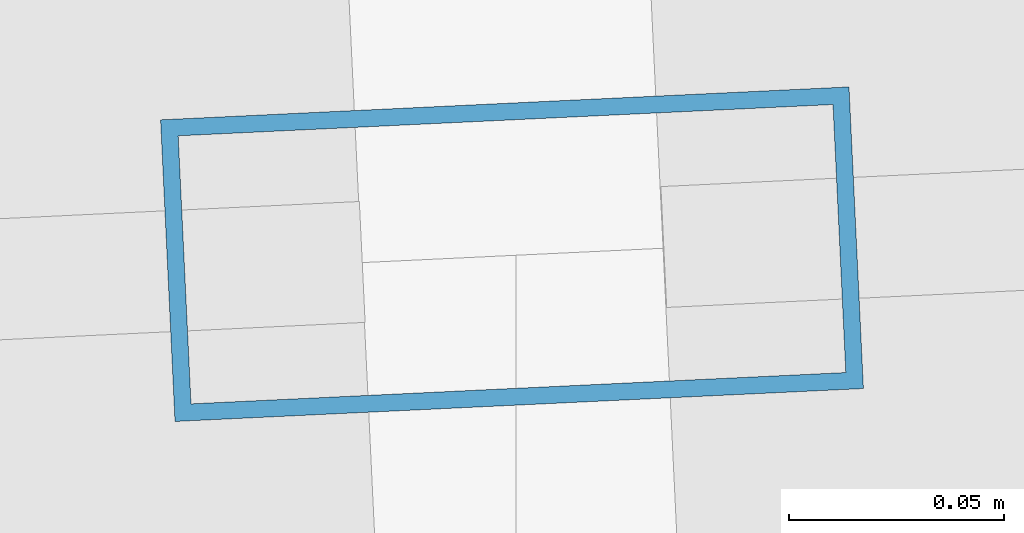
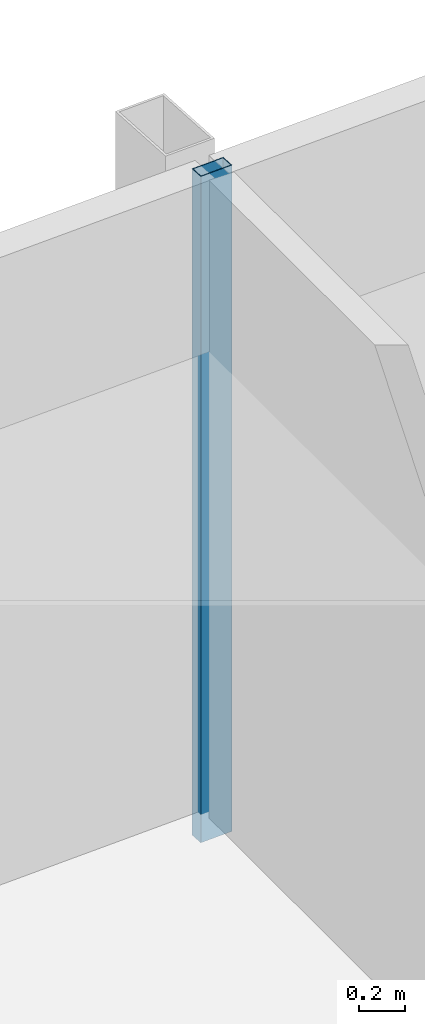
# One storey, part 21 of 39: 1 member, 1 element without a shape of its own.
"""IFC4 building model written with IfcOpenShell, lengths in metres."""

from ifc_helpers import new_model, si_unit, direction, frame, origin, origin_2d, place, context, subcontext, project, spatial, hollow_rectangle, extrude, material, material_profile, profile_set, type_object, element, aggregate, save


model = new_model("IFC4")

# Units and contexts
model_context = context("Model", 3, precision=1e-05, world=origin(), true_north=direction((0.0, 1.0)))
body_context = subcontext(model_context, "Body", "Model", "MODEL_VIEW")
ifc_project = project(units=[si_unit("LENGTHUNIT", "METRE"), si_unit("AREAUNIT", "SQUARE_METRE"), si_unit("VOLUMEUNIT", "CUBIC_METRE"), si_unit("PLANEANGLEUNIT", "RADIAN"), si_unit("MASSUNIT", "GRAM", prefix="KILO")], contexts=[model_context])

# Site, building, storey
site_placement = place(None, origin())
site = spatial("IfcSite", under=ifc_project, at=site_placement, CompositionType="ELEMENT")
building_placement = place(site_placement, origin())
building = spatial("IfcBuilding", under=site, at=building_placement, Name="Rekha Terrace Tower", CompositionType="ELEMENT")
storey_placement = place(building_placement, frame((0.0, 0.0, 217.699951171875)))
storey = spatial("IfcBuildingStorey", under=building, at=storey_placement, Name="L55", CompositionType="ELEMENT", Elevation=217.699951171875)

# Curtain wall, member
ifc_material_1 = material(Name="Aluminium framing", Category="aluminium")
curtain_wall_type = type_object("IfcCurtainWallType", Name="CW3 north unitised glazing", PredefinedType="USERDEFINED", material=ifc_material_1)
curtain_wall_placement = place(storey_placement, origin())
curtain_wall = element("IfcCurtainWall", 1, at=curtain_wall_placement, inside=storey, type_object=curtain_wall_type, Name="CW3 unitised curtain wall", ObjectType="UNITISED CURTAIN WALL", PredefinedType="USERDEFINED")
ifc_material_2 = material(Name="Aluminium mullion section", Category="aluminium")
ifc_material_profile = material_profile(ifc_material_2, hollow_rectangle(XDim=0.070068359375, YDim=0.159912109375, WallThickness=0.00390625, at=origin_2d()), Name="AL RHS 70x160")
ifc_profile_set = profile_set([ifc_material_profile], Name="Aluminium mullion section")
member_type = type_object("IfcMemberType", Name="CW3 mullion RHS 70 x 160", PredefinedType="MULLION", material=ifc_profile_set)
member_placement = place(storey_placement, frame((38.570068359375, 61.771240234375, 0.0), z_axis=(0.0, 0.0, 1.0), x_axis=(0.047758616983, -0.998858906204, 0.0)))
member = element("IfcMember", 2, at=member_placement, type_object=member_type, Name="CW3 mullion 2", PredefinedType="MULLION", context=body_context, shape_type="SweptSolid", body=[
    extrude(hollow_rectangle(XDim=0.070068359375, YDim=0.159912109375, WallThickness=0.00390625, at=origin_2d()), origin(), (0.0, 0.0, 1.0), 3.5),
])
aggregate(curtain_wall, [member])

save(model, "model.ifc")
